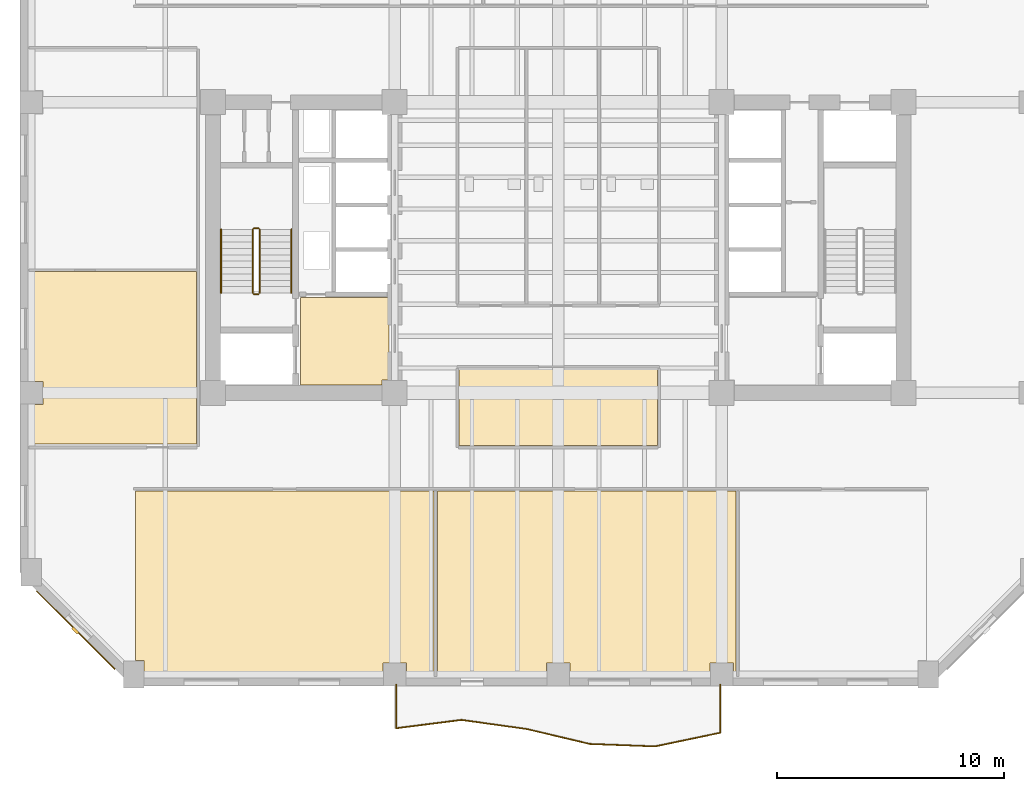
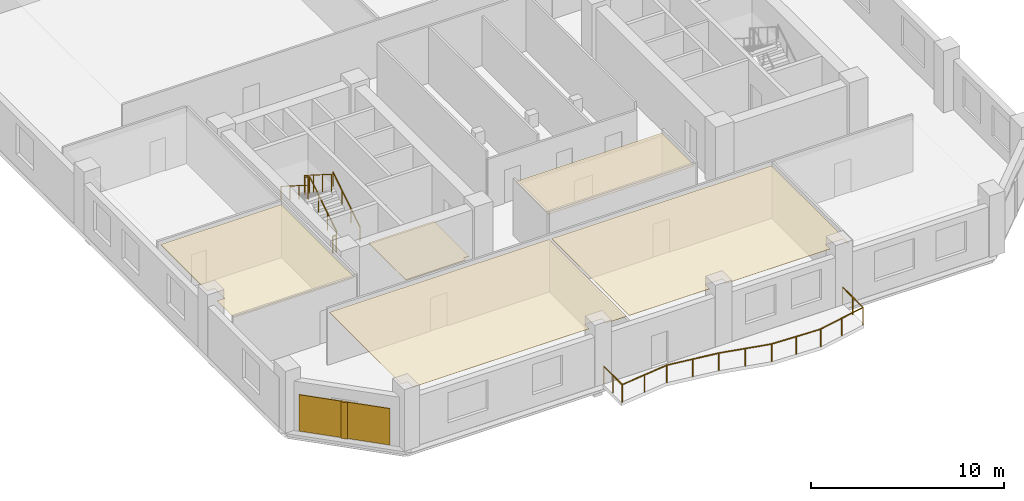
# One storey, part 6 of 10: 7 railings, 6 coverings, 1 shading device.
"""IFC4 building model written with IfcOpenShell, lengths in metres."""

from ifc_helpers import new_model, si_unit, direction, frame, origin, origin_2d, place, context, subcontext, project, spatial, polyline, rectangle, circle, outline, extrude, material, layer, layer_set, type_object, element, save


model = new_model("IFC4")

# Units and contexts
model_context = context("Model", 3, precision=1e-05, world=origin(), true_north=direction((0.0, 1.0)))
body_context = subcontext(model_context, "Body", "Model", "MODEL_VIEW")
ifc_project = project(units=[si_unit("LENGTHUNIT", "METRE"), si_unit("AREAUNIT", "SQUARE_METRE"), si_unit("VOLUMEUNIT", "CUBIC_METRE"), si_unit("PLANEANGLEUNIT", "RADIAN"), si_unit("MASSUNIT", "GRAM", prefix="KILO")], contexts=[model_context])

# Site, building, storey
site_placement = place(None, origin())
site = spatial("IfcSite", under=ifc_project, at=site_placement, CompositionType="ELEMENT")
building_placement = place(site_placement, origin())
building = spatial("IfcBuilding", under=site, at=building_placement, Name="Kranthara Brick Stack", CompositionType="ELEMENT")
storey_placement = place(building_placement, frame((0.0, 0.0, 102.300048828125)))
storey = spatial("IfcBuildingStorey", under=building, at=storey_placement, Name="L25", CompositionType="ELEMENT", Elevation=102.300048828125)

# Coverings
ifc_material_1 = material(Name="Perforated mineral-fibre acoustic ceiling tile", Category="other")
ifc_layer_1 = layer(ifc_material_1, 0.02490234375)
ifc_layer_set_1 = layer_set([ifc_layer_1], Name="Perforated mineral-fibre acoustic ceiling tile")
covering_type_1 = type_object("IfcCoveringType", Name="COV-CEIL-ACOUSTIC", PredefinedType="CEILING", material=ifc_layer_set_1)
covering_1_placement = place(storey_placement, frame((0.0, 0.0, 3.329833984375)))
element("IfcCovering", 1, at=covering_1_placement, inside=storey, type_object=covering_type_1, Name="L25 L25 Central Executive Briefing Room Acoustic Ceiling", PredefinedType="CEILING", context=body_context, shape_type="SweptSolid", body=[
    extrude(outline(polyline([(32.3701171875, 18.47998046875), (32.3701171875, 21.8798828125), (23.6298828125, 21.8798828125), (23.6298828125, 18.47998046875), (32.3701171875, 18.47998046875)])), origin(), (0.0, 0.0, 1.0), 0.025146484375),
])
covering_2_placement = place(storey_placement, frame((0.0, 0.0, 3.329833984375)))
element("IfcCovering", 2, at=covering_2_placement, inside=storey, type_object=covering_type_1, Name="L25 L25 Open Plan Workspace 1 Acoustic Ceiling", PredefinedType="CEILING", context=body_context, shape_type="SweptSolid", body=[
    extrude(outline(polyline([(22.52001953125, 16.47998046875), (22.52001953125, 8.469970703125), (21.31005859375, 8.469970703125), (21.31005859375, 8.909912109375), (20.2900390625, 8.909912109375), (20.2900390625, 8.469970703125), (9.760009765625, 8.469970703125), (9.760009765625, 9.010009765625), (9.3798828125, 9.010009765625), (9.3798828125, 16.47998046875), (22.52001953125, 16.47998046875)])), origin(), (0.0, 0.0, 1.0), 0.025146484375),
])
covering_3_placement = place(storey_placement, frame((0.0, 0.0, 3.329833984375)))
element("IfcCovering", 3, at=covering_3_placement, inside=storey, type_object=covering_type_1, Name="L25 L25 Collaboration Lounge 2 Acoustic Ceiling", PredefinedType="CEILING", context=body_context, shape_type="SweptSolid", body=[
    extrude(outline(polyline([(22.679931640625, 16.47998046875), (35.820068359375, 16.47998046875), (35.820068359375, 8.469970703125), (35.7099609375, 8.469970703125), (35.7099609375, 8.909912109375), (34.68994140625, 8.909912109375), (34.68994140625, 8.469970703125), (28.510009765625, 8.469970703125), (28.510009765625, 8.909912109375), (27.489990234375, 8.909912109375), (27.489990234375, 8.469970703125), (22.679931640625, 8.469970703125), (22.679931640625, 16.47998046875)])), origin(), (0.0, 0.0, 1.0), 0.025146484375),
])
covering_4_placement = place(storey_placement, frame((0.0, 0.0, 3.329833984375)))
element("IfcCovering", 4, at=covering_4_placement, inside=storey, type_object=covering_type_1, Name="L25 L25 West Executive Office 1 Acoustic Ceiling", PredefinedType="CEILING", context=body_context, shape_type="SweptSolid", body=[
    extrude(outline(polyline([(4.8701171875, 26.139892578125), (12.080078125, 26.139892578125), (12.080078125, 18.5400390625), (4.8701171875, 18.5400390625), (4.8701171875, 20.2900390625), (5.31005859375, 20.2900390625), (5.31005859375, 21.31005859375), (4.8701171875, 21.31005859375), (4.8701171875, 26.139892578125)])), origin(), (0.0, 0.0, 1.0), 0.025146484375),
])
ifc_material_2 = material(Name="Warm buff kiln-fired brick slip rainscreen", Category="masonry")
ifc_layer_2 = layer(ifc_material_2, 0.044921875)
ifc_layer_set_2 = layer_set([ifc_layer_2], Name="Warm buff kiln-fired brick slip rainscreen")
covering_type_2 = type_object("IfcCoveringType", Name="COV-CLAD-BRICK", PredefinedType="CLADDING", material=ifc_layer_set_2)
covering_5_placement = place(storey_placement, frame((6.756591796875, 10.3564453125, 0.0498046875), z_axis=(0.0, 0.0, 1.0), x_axis=(-0.707106781187, 0.707106781187, 0.0)))
element("IfcCovering", 5, at=covering_5_placement, inside=storey, type_object=covering_type_2, Name="L25 Chamfer Brick Rainscreen Cladding SW", PredefinedType="CLADDING", context=body_context, shape_type="SweptSolid", body=[
    extrude(rectangle(XDim=4.876953125, YDim=0.044921875, at=origin_2d()), origin(), (0.0, 0.0, 1.0), 2.300048828125),
])
ifc_material_3 = material(Name="Honed terrazzo and porcelain floor finish", Category="stone")
ifc_layer_3 = layer(ifc_material_3, 0.030029296875)
ifc_layer_set_3 = layer_set([ifc_layer_3], Name="Honed terrazzo and porcelain floor finish")
covering_type_3 = type_object("IfcCoveringType", Name="COV-FLOR-STONE", PredefinedType="FLOORING", material=ifc_layer_set_3)
covering_6_placement = place(storey_placement, origin())
element("IfcCovering", 6, at=covering_6_placement, inside=storey, type_object=covering_type_3, Name="L25 Lift Lobby Stone Flooring", PredefinedType="FLOORING", context=body_context, shape_type="SweptSolid", body=[
    extrude(outline(polyline([(16.64990234375, 21.14990234375), (16.64990234375, 25.0), (20.550048828125, 25.0), (20.550048828125, 21.360107421875), (20.239990234375, 21.360107421875), (20.239990234375, 21.14990234375), (16.64990234375, 21.14990234375)])), origin(), (0.0, 0.0, 1.0), 0.030029296875),
])

# Railings
ifc_material_4 = material(Name="Bronze anodised aluminium and laminated glass balustrade", Category="aluminium")
railing_type_1 = type_object("IfcRailingType", Name="RL-BALC-1120", PredefinedType="BALUSTRADE", material=ifc_material_4)
railing_1_placement = place(storey_placement, frame((35.139892578125, 7.9599609375, 0.0)))
element("IfcRailing", 7, at=railing_1_placement, inside=storey, type_object=railing_type_1, Name="L25 South Rippling Balcony Balustrade", PredefinedType="BALUSTRADE", context=body_context, shape_type="SweptSolid", body=[
    extrude(circle(Radius=0.02392578125, at=origin_2d()), frame((0.0, 0.0, 1.09619140625), z_axis=(0.000114836931, -0.999999993406, 0.0), x_axis=(0.999999993406, 0.000114836931, 0.0)), (0.0, 0.0, 1.0), 2.1259765625),
    extrude(circle(Radius=0.02392578125, at=origin_2d()), frame((0.000244140625, -2.1259765625, 1.09619140625), z_axis=(-0.978831647005, -0.204667063353, 0.0), x_axis=(0.204667063353, -0.978831647005, 0.0)), (0.0, 0.0, 1.0), 2.9404296875),
    extrude(circle(Radius=0.02392578125, at=origin_2d()), frame((-2.8779296875, -2.727783203125, 1.09619140625), z_axis=(-0.999287916226, 0.0377314257, 0.0), x_axis=(-0.0377314257, -0.999287916226, 0.0)), (0.0, 0.0, 1.0), 2.872802734375),
    extrude(circle(Radius=0.02392578125, at=origin_2d()), frame((-5.748779296875, -2.619384765625, 1.09619140625), z_axis=(-0.973019072316, 0.230724695056, 0.0), x_axis=(-0.230724695056, -0.973019072316, 0.0)), (0.0, 0.0, 1.0), 2.849609375),
    extrude(circle(Radius=0.02392578125, at=origin_2d()), frame((-8.521484375, -1.9619140625, 1.09619140625), z_axis=(-0.990463634066, 0.137774415595, 0.0), x_axis=(-0.137774415595, -0.990463634066, 0.0)), (0.0, 0.0, 1.0), 2.90625),
    extrude(circle(Radius=0.02392578125, at=origin_2d()), frame((-11.39990234375, -1.5615234375, 1.09619140625), z_axis=(-0.991980092617, -0.126394208139, 0.0), x_axis=(0.126394208139, -0.991980092617, 0.0)), (0.0, 0.0, 1.0), 2.903076171875),
    extrude(circle(Radius=0.02392578125, at=origin_2d()), frame((-14.27978515625, -1.928466796875, 1.09619140625), z_axis=(0.0, 1.0, 0.0), x_axis=(-1.0, 0.0, 0.0)), (0.0, 0.0, 1.0), 1.928466796875),
    extrude(circle(Radius=0.02099609375, at=origin_2d()), origin(), (0.0, 0.0, 1.0), 1.072021484375),
    extrude(circle(Radius=0.02099609375, at=origin_2d()), frame((0.0, -1.06298828125, 0.0)), (0.0, 0.0, 1.0), 1.072021484375),
    extrude(circle(Radius=0.02099609375, at=origin_2d()), frame((0.000244140625, -2.1259765625, 0.0)), (0.0, 0.0, 1.0), 1.072021484375),
    extrude(circle(Radius=0.02099609375, at=origin_2d()), frame((-1.43896484375, -2.4267578125, 0.0)), (0.0, 0.0, 1.0), 1.072021484375),
    extrude(circle(Radius=0.02099609375, at=origin_2d()), frame((-2.8779296875, -2.727783203125, 0.0)), (0.0, 0.0, 1.0), 1.072021484375),
    extrude(circle(Radius=0.02099609375, at=origin_2d()), frame((-4.3134765625, -2.673583984375, 0.0)), (0.0, 0.0, 1.0), 1.072021484375),
    extrude(circle(Radius=0.02099609375, at=origin_2d()), frame((-5.748779296875, -2.619384765625, 0.0)), (0.0, 0.0, 1.0), 1.072021484375),
    extrude(circle(Radius=0.02099609375, at=origin_2d()), frame((-7.13525390625, -2.29052734375, 0.0)), (0.0, 0.0, 1.0), 1.072021484375),
    extrude(circle(Radius=0.02099609375, at=origin_2d()), frame((-8.521484375, -1.9619140625, 0.0)), (0.0, 0.0, 1.0), 1.072021484375),
    extrude(circle(Radius=0.02099609375, at=origin_2d()), frame((-9.960693359375, -1.76171875, 0.0)), (0.0, 0.0, 1.0), 1.072021484375),
    extrude(circle(Radius=0.02099609375, at=origin_2d()), frame((-11.39990234375, -1.5615234375, 0.0)), (0.0, 0.0, 1.0), 1.072021484375),
    extrude(circle(Radius=0.02099609375, at=origin_2d()), frame((-12.83984375, -1.7451171875, 0.0)), (0.0, 0.0, 1.0), 1.072021484375),
    extrude(circle(Radius=0.02099609375, at=origin_2d()), frame((-14.27978515625, -1.928466796875, 0.0)), (0.0, 0.0, 1.0), 1.072021484375),
    extrude(circle(Radius=0.02099609375, at=origin_2d()), frame((-14.27978515625, -0.96435546875, 0.0)), (0.0, 0.0, 1.0), 1.072021484375),
    extrude(circle(Radius=0.02099609375, at=origin_2d()), frame((-14.27978515625, 0.0, 0.0)), (0.0, 0.0, 1.0), 1.072021484375),
])
ifc_material_5 = material(Name="Painted galvanized steel stair guardrail", Category="steel")
railing_type_2 = type_object("IfcRailingType", Name="RL-STAIR-GUARD-1100", PredefinedType="GUARDRAIL", material=ifc_material_5)
railing_2_placement = place(storey_placement, frame((14.85009765625, 25.199951171875, 0.17724609375)))
element("IfcRailing", 8, at=railing_2_placement, inside=storey, type_object=railing_type_2, Name="L25 ST01 stair guard 1", PredefinedType="GUARDRAIL", context=body_context, shape_type="SweptSolid", body=[
    extrude(circle(Radius=0.02392578125, at=origin_2d()), frame((0.0, 0.0, 1.076171875), z_axis=(0.0, 0.844908973607, 0.534910110503), x_axis=(-1.0, 0.0, 0.0)), (0.0, 0.0, 1.0), 3.31396484375),
    extrude(circle(Radius=0.02099609375, at=origin_2d()), origin(), (0.0, 0.0, 1.0), 1.052001953125),
    extrude(circle(Radius=0.02099609375, at=origin_2d()), frame((0.0, 0.933349609375, 0.5908203125)), (0.0, 0.0, 1.0), 1.052001953125),
    extrude(circle(Radius=0.02099609375, at=origin_2d()), frame((0.0, 1.86669921875, 1.181884765625)), (0.0, 0.0, 1.0), 1.052001953125),
    extrude(circle(Radius=0.02099609375, at=origin_2d()), frame((0.0, 2.800048828125, 1.772705078125)), (0.0, 0.0, 1.0), 1.052001953125),
])
railing_3_placement = place(storey_placement, frame((14.800048828125, 28.050048828125, 1.949951171875)))
element("IfcRailing", 9, at=railing_3_placement, inside=storey, type_object=railing_type_2, Name="L25 ST01 stair guard 2", PredefinedType="GUARDRAIL", context=body_context, shape_type="SweptSolid", body=[
    extrude(circle(Radius=0.02392578125, at=origin_2d()), frame((0.0, 0.0, 1.076171875), z_axis=(-1.0, 0.0, 0.0), x_axis=(0.0, -1.0, 0.0)), (0.0, 0.0, 1.0), 0.199951171875),
    extrude(circle(Radius=0.02099609375, at=origin_2d()), origin(), (0.0, 0.0, 1.0), 1.052001953125),
    extrude(circle(Radius=0.02099609375, at=origin_2d()), frame((-0.199951171875, 0.0, 0.0)), (0.0, 0.0, 1.0), 1.052001953125),
])
railing_4_placement = place(storey_placement, frame((14.550048828125, 28.0, 2.127197265625)))
element("IfcRailing", 10, at=railing_4_placement, inside=storey, type_object=railing_type_2, Name="L25 ST01 stair guard 3", PredefinedType="GUARDRAIL", context=body_context, shape_type="SweptSolid", body=[
    extrude(circle(Radius=0.02392578125, at=origin_2d()), frame((0.0, 0.0, 1.076171875), z_axis=(0.0, -0.844908973607, 0.534910110503), x_axis=(1.0, 0.0, 0.0)), (0.0, 0.0, 1.0), 3.31396484375),
    extrude(circle(Radius=0.02099609375, at=origin_2d()), origin(), (0.0, 0.0, 1.0), 1.052001953125),
    extrude(circle(Radius=0.02099609375, at=origin_2d()), frame((0.0, -0.933349609375, 0.5908203125)), (0.0, 0.0, 1.0), 1.052001953125),
    extrude(circle(Radius=0.02099609375, at=origin_2d()), frame((0.0, -1.86669921875, 1.181884765625)), (0.0, 0.0, 1.0), 1.052001953125),
    extrude(circle(Radius=0.02099609375, at=origin_2d()), frame((0.0, -2.800048828125, 1.772705078125)), (0.0, 0.0, 1.0), 1.052001953125),
])
railing_5_placement = place(storey_placement, frame((14.800048828125, 25.14990234375, 0.0)))
element("IfcRailing", 11, at=railing_5_placement, inside=storey, type_object=railing_type_2, Name="L25 ST01 stair guard 4", PredefinedType="GUARDRAIL", context=body_context, shape_type="SweptSolid", body=[
    extrude(circle(Radius=0.02392578125, at=origin_2d()), frame((0.0, 0.0, 1.076171875), z_axis=(-1.0, 0.0, 0.0), x_axis=(0.0, -1.0, 0.0)), (0.0, 0.0, 1.0), 0.199951171875),
    extrude(circle(Radius=0.02099609375, at=origin_2d()), origin(), (0.0, 0.0, 1.0), 1.052001953125),
    extrude(circle(Radius=0.02099609375, at=origin_2d()), frame((-0.199951171875, 0.0, 0.0)), (0.0, 0.0, 1.0), 1.052001953125),
])
ifc_material_6 = material(Name="Brushed stainless steel tubular handrail", Category="steel")
railing_type_3 = type_object("IfcRailingType", Name="RL-STAIR-HAND-900", PredefinedType="HANDRAIL", material=ifc_material_6)
railing_6_placement = place(storey_placement, frame((16.25, 25.199951171875, 0.17724609375)))
element("IfcRailing", 12, at=railing_6_placement, inside=storey, type_object=railing_type_3, Name="L25 ST01 stair handrail 1", PredefinedType="HANDRAIL", context=body_context, shape_type="SweptSolid", body=[
    extrude(circle(Radius=0.02392578125, at=origin_2d()), frame((0.0, 0.0, 0.8759765625), z_axis=(0.0, 0.844908973607, 0.534910110503), x_axis=(-1.0, 0.0, 0.0)), (0.0, 0.0, 1.0), 3.31396484375),
    extrude(circle(Radius=0.02099609375, at=origin_2d()), origin(), (0.0, 0.0, 1.0), 0.851806640625),
    extrude(circle(Radius=0.02099609375, at=origin_2d()), frame((0.0, 0.933349609375, 0.5908203125)), (0.0, 0.0, 1.0), 0.851806640625),
    extrude(circle(Radius=0.02099609375, at=origin_2d()), frame((0.0, 1.86669921875, 1.181884765625)), (0.0, 0.0, 1.0), 0.851806640625),
    extrude(circle(Radius=0.02099609375, at=origin_2d()), frame((0.0, 2.800048828125, 1.772705078125)), (0.0, 0.0, 1.0), 0.851806640625),
])
railing_7_placement = place(storey_placement, frame((13.14990234375, 28.0, 2.127197265625)))
element("IfcRailing", 13, at=railing_7_placement, inside=storey, type_object=railing_type_3, Name="L25 ST01 stair handrail 2", PredefinedType="HANDRAIL", context=body_context, shape_type="SweptSolid", body=[
    extrude(circle(Radius=0.02392578125, at=origin_2d()), frame((0.0, 0.0, 0.8759765625), z_axis=(0.0, -0.844908973607, 0.534910110503), x_axis=(1.0, 0.0, 0.0)), (0.0, 0.0, 1.0), 3.31396484375),
    extrude(circle(Radius=0.02099609375, at=origin_2d()), origin(), (0.0, 0.0, 1.0), 0.851806640625),
    extrude(circle(Radius=0.02099609375, at=origin_2d()), frame((0.0, -0.933349609375, 0.5908203125)), (0.0, 0.0, 1.0), 0.851806640625),
    extrude(circle(Radius=0.02099609375, at=origin_2d()), frame((0.0, -1.86669921875, 1.181884765625)), (0.0, 0.0, 1.0), 0.851806640625),
    extrude(circle(Radius=0.02099609375, at=origin_2d()), frame((0.0, -2.800048828125, 1.772705078125)), (0.0, 0.0, 1.0), 0.851806640625),
])

# Shading device
ifc_material_7 = material(Name="Kiln-fired terracotta aerodynamic wind fin", Category="masonry")
shading_device_type = type_object("IfcShadingDeviceType", Name="SHD-BAFFLE-CORNER", PredefinedType="SHUTTER", material=ifc_material_7)
shading_device_placement = place(storey_placement, frame((6.7353515625, 10.335205078125, 0.0498046875), z_axis=(0.0, 0.0, 1.0), x_axis=(-0.707106781187, 0.707106781187, 0.0)))
element("IfcShadingDevice", 14, at=shading_device_placement, inside=storey, type_object=shading_device_type, Name="L25 Chamfer Wind-Baffle Fin SW", PredefinedType="SHUTTER", context=body_context, shape_type="SweptSolid", body=[
    extrude(rectangle(XDim=0.35009765625, YDim=0.1201171875, at=origin_2d()), origin(), (0.0, 0.0, 1.0), 2.300048828125),
])

save(model, "model.ifc")
